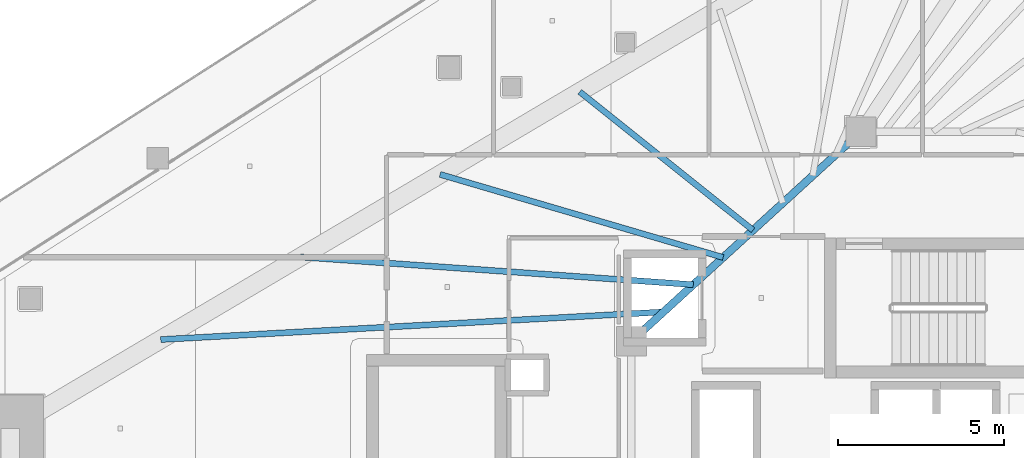
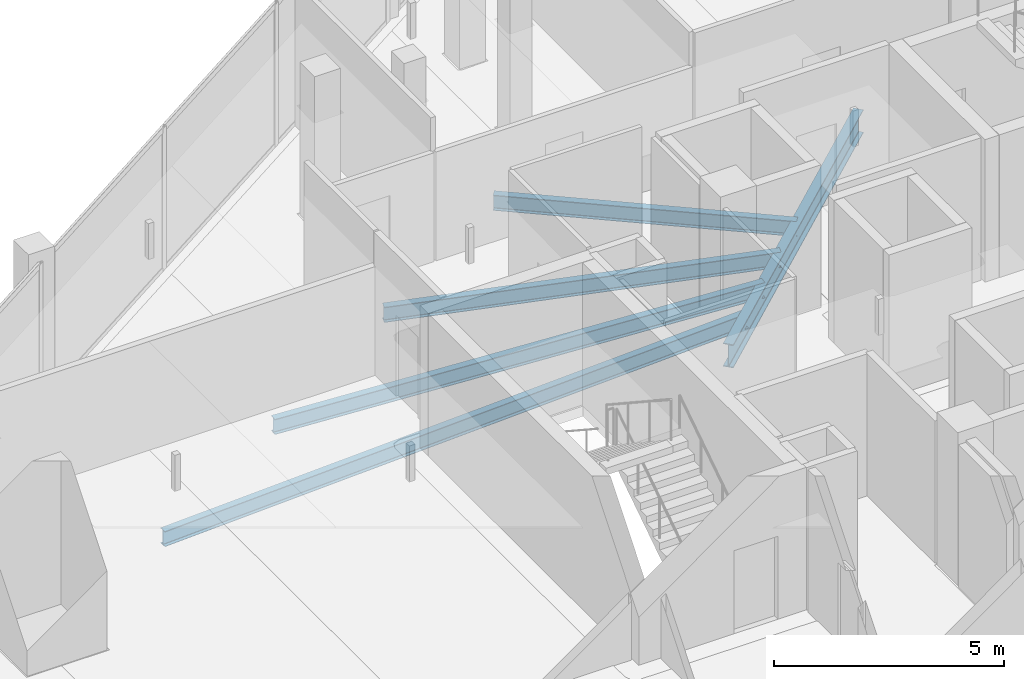
# One storey, part 15 of 37: 5 beams.
"""IFC4 building model written with IfcOpenShell, lengths in metres."""

import ifcopenshell
import ifcopenshell.guid

model = None  # the IFC model being written
_history = None  # IfcOwnerHistory: only IFC2X3 demands one
_inside = {}  # id of a spatial element -> (the spatial element, [elements in it])
_under = {}  # id of a project, library or spatial element -> (it, [spatial elements below it])
_declared = {}  # id of a project -> (the project, [libraries it declares])
_typed = {}  # id of a type object -> (the type object, [elements of that type])
_made_of = {}  # id of a material, layer set ... -> (it, [elements and type objects made of it])


def new_model(schema):
    """Start an empty IFC model of exactly this schema.

    Asked for "IFC4X3", IfcOpenShell would pick the latest addendum, in which some entities
    have other attributes; the version numbers below select the first issue.
    IFC2X3 requires an IfcOwnerHistory on every rooted entity: one is made here for all.
    """
    global model, _history
    if schema == "IFC4X3":
        model = ifcopenshell.file(schema_version=(4, 3, 0, 0))
    else:
        model = ifcopenshell.file(schema=schema)
    _inside.clear()
    _under.clear()
    _declared.clear()
    _typed.clear()
    _made_of.clear()
    _history = None
    if model.schema == "IFC2X3":
        org = make("IfcOrganization", Name="unknown")
        user = make(
            "IfcPersonAndOrganization",
            ThePerson=make("IfcPerson", FamilyName="unknown"),
            TheOrganization=org,
        )
        app = make(
            "IfcApplication",
            ApplicationDeveloper=org,
            Version="unknown",
            ApplicationFullName="unknown",
            ApplicationIdentifier="unknown",
        )
        _history = make(
            "IfcOwnerHistory",
            OwningUser=user,
            OwningApplication=app,
            ChangeAction="ADDED",
            CreationDate=0,
        )
    return model


def make(cls, **values):
    """One entity of the class cls with the attributes given. An attribute that is None is left unset."""
    return model.create_entity(
        cls, **{name: value for name, value in values.items() if value is not None}
    )


def rooted(cls, **values):
    """An entity with a GlobalId (a new one), such as an element, a storey or a relation."""
    return make(cls, GlobalId=ifcopenshell.guid.new(), OwnerHistory=_history, **values)


def si_unit(unit_type, name, prefix=None):
    """IfcSIUnit, for example si_unit("LENGTHUNIT", "METRE", prefix="MILLI")."""
    return make("IfcSIUnit", UnitType=unit_type, Prefix=prefix, Name=name)


def assignment(units):
    """IfcUnitAssignment: the units of a project."""
    return None if units is None else make("IfcUnitAssignment", Units=units)


def point(xyz):
    """IfcCartesianPoint."""
    return None if xyz is None else make("IfcCartesianPoint", Coordinates=xyz)


def direction(xyz):
    """IfcDirection."""
    return None if xyz is None else make("IfcDirection", DirectionRatios=xyz)


def frame(location, z_axis=None, x_axis=None):
    """IfcAxis2Placement3D, a coordinate frame: its origin and axes. An axis left out is left unset."""
    return make(
        "IfcAxis2Placement3D",
        Location=point(location),
        Axis=direction(z_axis),
        RefDirection=direction(x_axis),
    )


def frame_2d(location, x_axis=None):
    """IfcAxis2Placement2D, a coordinate frame in the plane: its origin and x axis."""
    return make(
        "IfcAxis2Placement2D", Location=point(location), RefDirection=direction(x_axis)
    )


def origin():
    """The frame at (0, 0, 0) with its axes left unset."""
    return frame((0.0, 0.0, 0.0))


def origin_2d():
    """The frame at (0, 0) in the plane with its x axis left unset."""
    return frame_2d((0.0, 0.0))


def place(relative_to, where):
    """IfcLocalPlacement: puts the frame where relative to a parent placement (None: the world)."""
    return make(
        "IfcLocalPlacement", PlacementRelTo=relative_to, RelativePlacement=where
    )


def context(
    kind, dimensions, precision=None, world=None, true_north=None, identifier=None
):
    """IfcGeometricRepresentationContext, for example the 3D "Model" context."""
    return make(
        "IfcGeometricRepresentationContext",
        ContextIdentifier=identifier,
        ContextType=kind,
        CoordinateSpaceDimension=dimensions,
        Precision=precision,
        WorldCoordinateSystem=world,
        TrueNorth=true_north,
    )


def subcontext(parent, identifier, kind, view, scale=None):
    """IfcGeometricRepresentationSubContext, for example "Body" below "Model"."""
    return make(
        "IfcGeometricRepresentationSubContext",
        ContextIdentifier=identifier,
        ContextType=kind,
        ParentContext=parent,
        TargetScale=scale,
        TargetView=view,
    )


def project(units=None, contexts=None):
    """IfcProject with its units and contexts."""
    return rooted(
        "IfcProject",
        Name="project",
        RepresentationContexts=contexts,
        UnitsInContext=assignment(units),
    )


def spatial(cls, under=None, at=None, **own):
    """A site, building, storey or space (cls), placed at a placement, below another one or the project."""
    s = rooted(cls, ObjectPlacement=at, **own)
    if under is not None:
        _under.setdefault(under.id(), (under, []))[1].append(s)
    return s


def profile(cls, at=None, kind="AREA", **sizes):
    """A parametric profile (cls). Its sizes go by their IFC names, for example OverallWidth=200.0."""
    return make(cls, ProfileType=kind, Position=at, **sizes)


def i_section(**sizes):
    """IfcIShapeProfileDef."""
    return profile("IfcIShapeProfileDef", **sizes)


def extrude(swept, where, along, depth):
    """IfcExtrudedAreaSolid: the profile swept, set in the frame where, extruded along a direction by depth."""
    return make(
        "IfcExtrudedAreaSolid",
        SweptArea=swept,
        Position=where,
        ExtrudedDirection=direction(along),
        Depth=depth,
    )


def shape(context_of_items, identifier, shape_type, items):
    """IfcShapeRepresentation: the items that make up one representation, for example the "Body"."""
    return make(
        "IfcShapeRepresentation",
        ContextOfItems=context_of_items,
        RepresentationIdentifier=identifier,
        RepresentationType=shape_type,
        Items=items,
    )


def material(Name=None, Category=None):
    """IfcMaterial."""
    return make("IfcMaterial", Name=Name, Category=Category)


def material_profile(
    of_material, cross_section, Name=None, Category=None, Priority=None
):
    """IfcMaterialProfile: a cross section and its material."""
    return make(
        "IfcMaterialProfile",
        Name=Name,
        Material=of_material,
        Profile=cross_section,
        Priority=Priority,
        Category=Category,
    )


def profile_set(profiles, Name=None, composite=None):
    """IfcMaterialProfileSet."""
    return make(
        "IfcMaterialProfileSet",
        Name=Name,
        MaterialProfiles=profiles,
        CompositeProfile=composite,
    )


def made_of(thing, what):
    """Note that an element or type object is made of a material, layer set ...; save() writes the relation."""
    if what is not None:
        _made_of.setdefault(what.id(), (what, []))[1].append(thing)
    return thing


def type_object(cls, material=None, **own):
    """A type object (cls), such as IfcWallType, which elements share."""
    return made_of(rooted(cls, **own), material)


def element(
    cls,
    number,
    at=None,
    inside=None,
    cuts=None,
    type_object=None,
    material=None,
    context=None,
    identifier="Body",
    shape_type=None,
    held_by="IfcProductDefinitionShape",
    body=None,
    shapes=None,
    **own,
):
    """One element of the class cls, such as IfcWall. Its Tag is "e" and its number.

    at: its placement. inside: the storey or other place that contains it. cuts: it is an
    opening in that element (IfcRelVoidsElement). A single representation is given by context,
    identifier, shape_type and body (its items); several are given by shapes. held_by: the class
    of the entity that holds the representations. save() writes the other relations.
    """
    e = rooted(cls, Tag="e%d" % number, ObjectPlacement=at, **own)
    if body is not None:
        shapes = [shape(context, identifier, shape_type, body)]
    if shapes is not None:
        e.Representation = make(held_by, Representations=shapes)
    if inside is not None:
        _inside.setdefault(inside.id(), (inside, []))[1].append(e)
    if cuts is not None:
        rooted(
            "IfcRelVoidsElement", RelatingBuildingElement=cuts, RelatedOpeningElement=e
        )
    if type_object is not None:
        _typed.setdefault(type_object.id(), (type_object, []))[1].append(e)
    return made_of(e, material)


def aggregate(whole, parts):
    """IfcRelAggregates: a whole, such as a stair, and the parts it consists of."""
    return rooted("IfcRelAggregates", RelatingObject=whole, RelatedObjects=parts)


def save(model, path):
    """Write the relations noted so far, then the file.

    IfcRelAggregates (storeys below a building ...), IfcRelContainedInSpatialStructure (elements
    in a storey), IfcRelDefinesByType, IfcRelAssociatesMaterial and IfcRelDeclares: one each for
    every whole, place, type object, material and project.
    """
    for whole, parts in _under.values():
        aggregate(whole, parts)
    for where, things in _inside.values():
        rooted(
            "IfcRelContainedInSpatialStructure",
            RelatedElements=things,
            RelatingStructure=where,
        )
    for kind, things in _typed.values():
        rooted("IfcRelDefinesByType", RelatedObjects=things, RelatingType=kind)
    for what, things in _made_of.values():
        rooted("IfcRelAssociatesMaterial", RelatedObjects=things, RelatingMaterial=what)
    for by, libraries in _declared.values():
        rooted("IfcRelDeclares", RelatingContext=by, RelatedDefinitions=libraries)
    model.write(path)


model = new_model("IFC4")

# Units and contexts
model_context = context("Model", 3, precision=1e-05, world=origin(), true_north=direction((0.0, 1.0)))
body_context = subcontext(model_context, "Body", "Model", "MODEL_VIEW")
ifc_project = project(units=[si_unit("LENGTHUNIT", "METRE"), si_unit("AREAUNIT", "SQUARE_METRE"), si_unit("VOLUMEUNIT", "CUBIC_METRE"), si_unit("PLANEANGLEUNIT", "RADIAN"), si_unit("MASSUNIT", "GRAM", prefix="KILO")], contexts=[model_context])

# Site, building, storey
site_placement = place(None, origin())
site = spatial("IfcSite", under=ifc_project, at=site_placement, CompositionType="ELEMENT")
building_placement = place(site_placement, origin())
building = spatial("IfcBuilding", under=site, at=building_placement, Name="Qorvath Tower", CompositionType="ELEMENT")
storey_placement = place(building_placement, frame((0.0, 0.0, 184.800048828125)))
storey = spatial("IfcBuildingStorey", under=building, at=storey_placement, Name="L42", CompositionType="ELEMENT", Elevation=184.800048828125)

# Beams
ifc_material_1 = material(Name="Steel ASTM A992 Grade 50", Category="steel")
ifc_material_profile_1 = material_profile(ifc_material_1, i_section(OverallWidth=0.22998046875, OverallDepth=0.616943359375, WebThickness=0.01318359375, FlangeThickness=0.022216796875, FilletRadius=0.014892578125, at=origin_2d()), Name="W24x94")
ifc_profile_set_1 = profile_set([ifc_material_profile_1], Name="Steel ASTM A992 Grade 50")
beam_type_1 = type_object("IfcBeamType", Name="BM-FG6", PredefinedType="BEAM", material=ifc_profile_set_1)
beam_1_placement = place(storey_placement, frame((-30.5, 5.14990234375, -0.57861328125), z_axis=(0.73847813985, 0.6742774184, 0.0), x_axis=(-0.6742774184, 0.73847813985, 0.0)))
element("IfcBeam", 1, at=beam_1_placement, inside=storey, type_object=beam_type_1, Name="Core Ring Girder CC5-CC1 L42", PredefinedType="BEAM", context=body_context, shape_type="SweptSolid", body=[
    extrude(i_section(OverallWidth=0.22998046875, OverallDepth=0.616943359375, WebThickness=0.01318359375, FlangeThickness=0.022216796875, FilletRadius=0.014892578125, at=origin_2d()), origin(), (0.0, 0.0, 1.0), 9.343505859375),
])
ifc_material_2 = material(Name="Steel ASTM A992 Grade 50", Category="steel")
ifc_material_profile_2 = material_profile(ifc_material_2, i_section(OverallWidth=0.177978515625, OverallDepth=0.406005859375, WebThickness=0.0078125, FlangeThickness=0.0126953125, FilletRadius=0.010986328125, at=origin_2d()), Name="W16x40")
ifc_profile_set_2 = profile_set([ifc_material_profile_2], Name="Steel ASTM A992 Grade 50")
beam_type_2 = type_object("IfcBeamType", Name="BM-FJ3", PredefinedType="JOIST", material=ifc_profile_set_2)
beam_2_placement = place(storey_placement, frame((-29.533935546875, 6.031982421875, -0.47314453125), z_axis=(-0.998494745044, -0.054847462293, 0.0), x_axis=(0.054847462293, -0.998494745044, 0.0)))
element("IfcBeam", 2, at=beam_2_placement, inside=storey, type_object=beam_type_2, Name="Composite Floor Joist NW1 L42", PredefinedType="JOIST", context=body_context, shape_type="SweptSolid", body=[
    extrude(i_section(OverallWidth=0.177978515625, OverallDepth=0.406005859375, WebThickness=0.0078125, FlangeThickness=0.0126953125, FilletRadius=0.010986328125, at=origin_2d()), origin(), (0.0, 0.0, 1.0), 15.138671875),
])
beam_3_placement = place(storey_placement, frame((-28.636962890625, 6.85107421875, -0.47314453125), z_axis=(-0.997520476731, 0.070376832146, 0.0), x_axis=(-0.070376832146, -0.997520476731, 0.0)))
element("IfcBeam", 3, at=beam_3_placement, inside=storey, type_object=beam_type_2, Name="Composite Floor Joist NW2 L42", PredefinedType="JOIST", context=body_context, shape_type="SweptSolid", body=[
    extrude(i_section(OverallWidth=0.177978515625, OverallDepth=0.406005859375, WebThickness=0.0078125, FlangeThickness=0.0126953125, FilletRadius=0.010986328125, at=origin_2d()), origin(), (0.0, 0.0, 1.0), 11.84326171875),
])
beam_4_placement = place(storey_placement, frame((-27.739990234375, 7.669921875, -0.47314453125), z_axis=(-0.959544992264, 0.281555337049, 0.0), x_axis=(-0.281555337049, -0.959544992264, 0.0)))
element("IfcBeam", 4, at=beam_4_placement, inside=storey, type_object=beam_type_2, Name="Composite Floor Joist NW3 L42", PredefinedType="JOIST", context=body_context, shape_type="SweptSolid", body=[
    extrude(i_section(OverallWidth=0.177978515625, OverallDepth=0.406005859375, WebThickness=0.0078125, FlangeThickness=0.0126953125, FilletRadius=0.010986328125, at=origin_2d()), origin(), (0.0, 0.0, 1.0), 8.87060546875),
])
beam_5_placement = place(storey_placement, frame((-26.843017578125, 8.489013671875, -0.47314453125), z_axis=(-0.781336553339, 0.624109918537, 0.0), x_axis=(-0.624109918537, -0.781336553339, 0.0)))
element("IfcBeam", 5, at=beam_5_placement, inside=storey, type_object=beam_type_2, Name="Composite Floor Joist NW4 L42", PredefinedType="JOIST", context=body_context, shape_type="SweptSolid", body=[
    extrude(i_section(OverallWidth=0.177978515625, OverallDepth=0.406005859375, WebThickness=0.0078125, FlangeThickness=0.0126953125, FilletRadius=0.010986328125, at=origin_2d()), origin(), (0.0, 0.0, 1.0), 6.667724609375),
])

save(model, "model.ifc")
